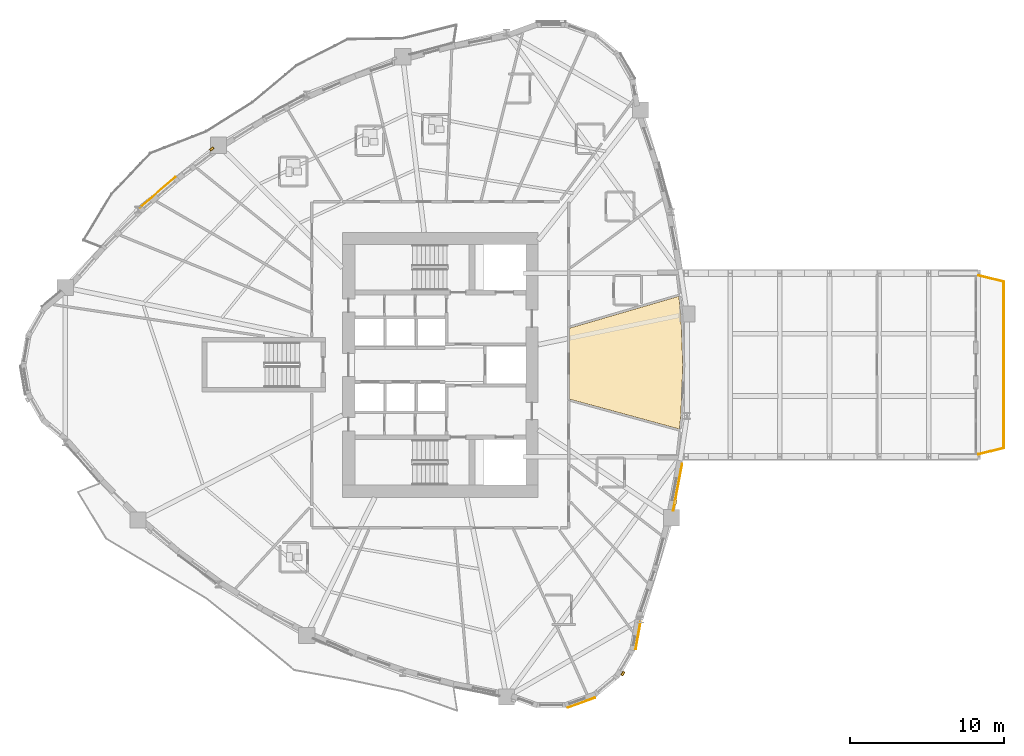
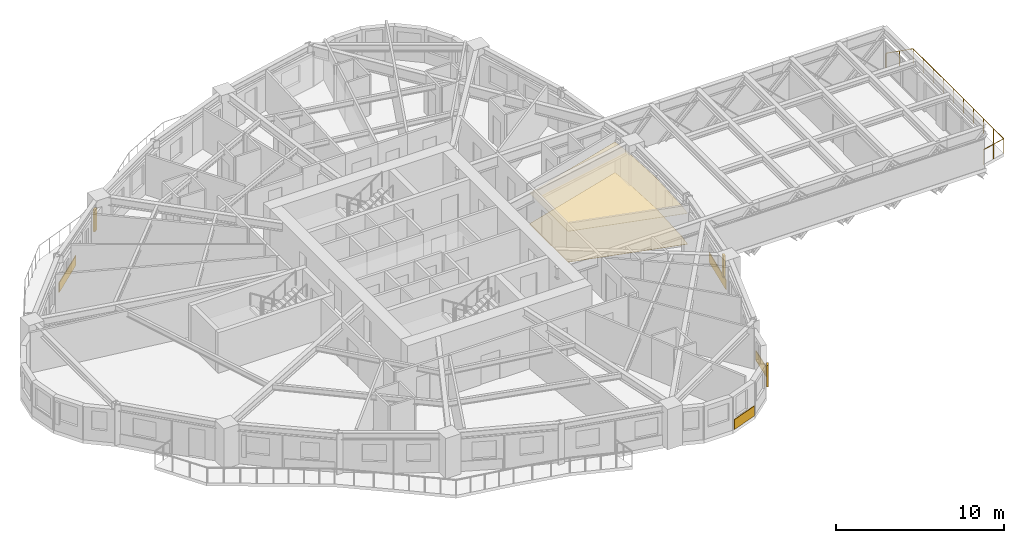
# One storey, part 14 of 16: 6 coverings, 3 shading devices, 1 railing.
"""IFC4 building model written with IfcOpenShell, lengths in metres."""

from ifc_helpers import new_model, si_unit, direction, frame, origin, origin_2d, place, context, subcontext, project, spatial, polyline, rectangle, circle, outline, extrude, source, transform, mapped, material, layer, layer_set, type_object, element, save


model = new_model("IFC4")

# Units and contexts
model_context = context("Model", 3, precision=1e-05, world=origin(), true_north=direction((0.0, 1.0)))
body_context = subcontext(model_context, "Body", "Model", "MODEL_VIEW")
ifc_project = project(units=[si_unit("LENGTHUNIT", "METRE"), si_unit("AREAUNIT", "SQUARE_METRE"), si_unit("VOLUMEUNIT", "CUBIC_METRE"), si_unit("PLANEANGLEUNIT", "RADIAN"), si_unit("MASSUNIT", "GRAM", prefix="KILO")], contexts=[model_context])

# Site, building, storey
site_placement = place(None, origin())
site = spatial("IfcSite", under=ifc_project, at=site_placement, CompositionType="ELEMENT")
building_placement = place(site_placement, origin())
building = spatial("IfcBuilding", under=site, at=building_placement, Name="Qafzar Sky-Pleat Residences", CompositionType="ELEMENT")
storey_placement = place(building_placement, frame((0.0, 0.0, 33.39990234375)))
storey = spatial("IfcBuildingStorey", under=building, at=storey_placement, Name="L09", CompositionType="ELEMENT", Elevation=33.39990234375)

# Coverings
ifc_material_1 = material(Name="Perforated acoustic gypsum board ceiling")
ifc_layer_1 = layer(ifc_material_1, 0.02001953125)
ifc_layer_set_1 = layer_set([ifc_layer_1], Name="Perforated acoustic gypsum board ceiling")
covering_type_1 = type_object("IfcCoveringType", Name="COV-CEIL-ACOUSTIC", PredefinedType="CEILING", material=ifc_layer_set_1)
covering_1_placement = place(storey_placement, frame((0.0, 0.0, 2.239990234375)))
element("IfcCovering", 1, at=covering_1_placement, inside=storey, type_object=covering_type_1, Name="L09 Co-Living Lounge Acoustic Ceiling", PredefinedType="CEILING", context=body_context, shape_type="SweptSolid", body=[
    extrude(outline(polyline([(45.961181640625, 29.276123046875), (46.0859375, 26.0), (45.961181640625, 22.723876953125), (45.860107421875, 21.835205078125), (38.739990234375, 23.775634765625), (38.739990234375, 28.38427734375), (45.827392578125, 30.451416015625), (45.961181640625, 29.276123046875)])), origin(), (0.0, 0.0, 1.0), 0.02001953125),
])
ifc_material_2 = material(Name="Honed porcelain and Riyadh stone tile flooring", Category="masonry")
ifc_layer_2 = layer(ifc_material_2, 0.02001953125)
ifc_layer_set_2 = layer_set([ifc_layer_2], Name="Honed porcelain and Riyadh stone tile flooring")
covering_type_2 = type_object("IfcCoveringType", Name="COV-FLR-PORCELAIN", PredefinedType="FLOORING", material=ifc_layer_set_2)
covering_2_placement = place(storey_placement, origin())
element("IfcCovering", 2, at=covering_2_placement, inside=storey, type_object=covering_type_2, Name="L09 Co-Living Lounge Honed Stone Flooring", PredefinedType="FLOORING", context=body_context, shape_type="SweptSolid", body=[
    extrude(outline(polyline([(45.961181640625, 29.276123046875), (46.0859375, 26.0), (45.961181640625, 22.723876953125), (45.860107421875, 21.835205078125), (38.739990234375, 23.775634765625), (38.739990234375, 28.38427734375), (45.827392578125, 30.451416015625), (45.961181640625, 29.276123046875)])), origin(), (0.0, 0.0, 1.0), 0.02001953125),
])

# Shading devices
ifc_material_3 = material(Name="Honed Riyadh limestone solar fin", Category="masonry")
ifc_layer_3 = layer(ifc_material_3, 0.139892578125)
ifc_layer_set_3 = layer_set([ifc_layer_3], Name="Honed Riyadh limestone solar fin")
shading_device_type = type_object("IfcShadingDeviceType", Name="SHD-FIN-STONE", PredefinedType="SHUTTER", material=ifc_layer_set_3)
shared_shape_1 = source(origin(), body_context, "Body", "SweptSolid", [
    extrude(rectangle(XDim=0.139892578125, YDim=0.280029296875, at=origin_2d()), origin(), (0.0, 0.0, 1.0), 1.60009765625),
])
for number, where, z_axis, x_axis, name in (
    (3, (42.1953125, 5.968505859375, 0.60009765625), (0.0, 0.0, 1.0), (0.86604422228, -0.499967403994, 0.0), "L09 Limestone Solar Fin 21"),
    (4, (45.61474609375, 17.097900390625, 0.60009765625), (0.0, 0.0, 1.0), (0.982420909967, -0.186679285565, 0.0), "L09 Limestone Solar Fin 25"),
    (5, (15.524658203125, 40.009033203125, 0.60009765625), (0.0, 0.0, 1.0), (-0.594881837861, 0.803813161738, 0.0), "L09 Limestone Solar Fin 45"),
):
    element("IfcShadingDevice", number, at=place(storey_placement, frame(where, z_axis=z_axis, x_axis=x_axis)), inside=storey, type_object=shading_device_type, Name=name, PredefinedType="SHUTTER", context=body_context, shape_type="MappedRepresentation", body=[
        mapped(shared_shape_1, transform((0.0, 0.0, 0.0), x_axis=(1.0, 0.0, 0.0), y_axis=(0.0, 1.0, 0.0), z_axis=(0.0, 0.0, 1.0), scale=1.0)),
    ])

# Coverings
ifc_material_4 = material(Name="Honed Riyadh Tuwaiq limestone cladding", Category="masonry")
ifc_layer_4 = layer(ifc_material_4, 0.044921875)
ifc_layer_set_4 = layer_set([ifc_layer_4], Name="Honed Riyadh Tuwaiq limestone cladding")
covering_type_3 = type_object("IfcCoveringType", Name="COV-CLAD-STONE", PredefinedType="CLADDING", material=ifc_layer_set_4)
shared_shape_2 = source(origin(), body_context, "Body", "SweptSolid", [
    extrude(rectangle(XDim=1.8291015625, YDim=0.044921875, at=origin_2d()), origin(), (0.0, 0.0, 1.0), 0.719970703125),
])
covering_3_placement = place(storey_placement, frame((43.186767578125, 8.443359375, 0.02001953125), z_axis=(0.0, 0.0, 1.0), x_axis=(0.17364778674, 0.984807821943, 0.0)))
element("IfcCovering", 6, at=covering_3_placement, inside=storey, type_object=covering_type_3, Name="L09 Riyadh Limestone Spandrel Cladding 22", PredefinedType="CLADDING", context=body_context, shape_type="MappedRepresentation", body=[
    mapped(shared_shape_2, transform((0.0, 0.0, 0.0), x_axis=(1.0, 0.0, 0.0), y_axis=(0.0, 1.0, 0.0), z_axis=(0.0, 0.0, 1.0), scale=1.0)),
])
shared_shape_3 = source(origin(), body_context, "Body", "SweptSolid", [
    extrude(rectangle(XDim=1.881103515625, YDim=0.044921875, at=origin_2d()), origin(), (0.0, 0.0, 1.0), 0.719970703125),
])
covering_4_placement = place(storey_placement, frame((39.506103515625, 4.07958984375, 0.02001953125), z_axis=(0.0, 0.0, 1.0), x_axis=(0.939715179222, 0.34195815817, 0.0)))
element("IfcCovering", 7, at=covering_4_placement, inside=storey, type_object=covering_type_3, Name="L09 Riyadh Limestone Spandrel Cladding 19", PredefinedType="CLADDING", context=body_context, shape_type="MappedRepresentation", body=[
    mapped(shared_shape_3, transform((0.0, 0.0, 0.0), x_axis=(1.0, 0.0, 0.0), y_axis=(0.0, 1.0, 0.0), z_axis=(0.0, 0.0, 1.0), scale=1.0)),
])
shared_shape_4 = source(origin(), body_context, "Body", "SweptSolid", [
    extrude(rectangle(XDim=3.10107421875, YDim=0.044921875, at=origin_2d()), origin(), (0.0, 0.0, 1.0), 0.719970703125),
])
covering_5_placement = place(storey_placement, frame((45.75439453125, 18.063720703125, 0.02001953125), z_axis=(0.0, 0.0, 1.0), x_axis=(0.186669329161, 0.982422801828, 0.0)))
element("IfcCovering", 8, at=covering_5_placement, inside=storey, type_object=covering_type_3, Name="L09 Riyadh Limestone Spandrel Cladding 25", PredefinedType="CLADDING", context=body_context, shape_type="MappedRepresentation", body=[
    mapped(shared_shape_4, transform((0.0, 0.0, 0.0), x_axis=(1.0, 0.0, 0.0), y_axis=(0.0, 1.0, 0.0), z_axis=(0.0, 0.0, 1.0), scale=1.0)),
])
shared_shape_5 = source(origin(), body_context, "Body", "SweptSolid", [
    extrude(rectangle(XDim=3.04541015625, YDim=0.044921875, at=origin_2d()), origin(), (0.0, 0.0, 1.0), 0.719970703125),
])
covering_6_placement = place(storey_placement, frame((12.01416015625, 37.20458984375, 0.02001953125), z_axis=(0.0, 0.0, 1.0), x_axis=(-0.757465901531, -0.652874726129, 0.0)))
element("IfcCovering", 9, at=covering_6_placement, inside=storey, type_object=covering_type_3, Name="L09 Riyadh Limestone Spandrel Cladding 46", PredefinedType="CLADDING", context=body_context, shape_type="MappedRepresentation", body=[
    mapped(shared_shape_5, transform((0.0, 0.0, 0.0), x_axis=(1.0, 0.0, 0.0), y_axis=(0.0, 1.0, 0.0), z_axis=(0.0, 0.0, 1.0), scale=1.0)),
])

# Railing
ifc_material_5 = material(Name="Laminated glass and bronze steel balustrade", Category="steel")
railing_type = type_object("IfcRailingType", Name="RAIL-BAL-1100", PredefinedType="BALUSTRADE", material=ifc_material_5)
shared_shape_6 = source(origin(), body_context, "Body", "SweptSolid", [
    extrude(circle(Radius=0.02392578125, at=origin_2d()), frame((0.0, 0.0, 1.076171875), z_axis=(0.971333546133, 0.237720723027, 0.0), x_axis=(-0.237720723027, 0.971333546133, 0.0)), (0.0, 0.0, 1.0), 1.683349609375),
    extrude(circle(Radius=0.02392578125, at=origin_2d()), frame((1.635009765625, 0.400146484375, 1.076171875), z_axis=(0.0, 1.0, 0.0), x_axis=(-1.0, 0.0, 0.0)), (0.0, 0.0, 1.0), 10.7998046875),
    extrude(circle(Radius=0.02392578125, at=origin_2d()), frame((1.635009765625, 11.199951171875, 1.076171875), z_axis=(-0.971333546133, 0.237720723027, 0.0), x_axis=(-0.237720723027, -0.971333546133, 0.0)), (0.0, 0.0, 1.0), 1.683349609375),
    extrude(circle(Radius=0.02099609375, at=origin_2d()), origin(), (0.0, 0.0, 1.0), 1.052001953125),
    extrude(circle(Radius=0.02099609375, at=origin_2d()), frame((0.8173828125, 0.2001953125, 0.0)), (0.0, 0.0, 1.0), 1.052001953125),
    extrude(circle(Radius=0.02099609375, at=origin_2d()), frame((1.635009765625, 0.400146484375, 0.0)), (0.0, 0.0, 1.0), 1.052001953125),
    extrude(circle(Radius=0.02099609375, at=origin_2d()), frame((1.635009765625, 1.60009765625, 0.0)), (0.0, 0.0, 1.0), 1.052001953125),
    extrude(circle(Radius=0.02099609375, at=origin_2d()), frame((1.635009765625, 2.800048828125, 0.0)), (0.0, 0.0, 1.0), 1.052001953125),
    extrude(circle(Radius=0.02099609375, at=origin_2d()), frame((1.635009765625, 4.0, 0.0)), (0.0, 0.0, 1.0), 1.052001953125),
    extrude(circle(Radius=0.02099609375, at=origin_2d()), frame((1.635009765625, 5.199951171875, 0.0)), (0.0, 0.0, 1.0), 1.052001953125),
    extrude(circle(Radius=0.02099609375, at=origin_2d()), frame((1.635009765625, 6.400146484375, 0.0)), (0.0, 0.0, 1.0), 1.052001953125),
    extrude(circle(Radius=0.02099609375, at=origin_2d()), frame((1.635009765625, 7.60009765625, 0.0)), (0.0, 0.0, 1.0), 1.052001953125),
    extrude(circle(Radius=0.02099609375, at=origin_2d()), frame((1.635009765625, 8.800048828125, 0.0)), (0.0, 0.0, 1.0), 1.052001953125),
    extrude(circle(Radius=0.02099609375, at=origin_2d()), frame((1.635009765625, 10.0, 0.0)), (0.0, 0.0, 1.0), 1.052001953125),
    extrude(circle(Radius=0.02099609375, at=origin_2d()), frame((1.635009765625, 11.199951171875, 0.0)), (0.0, 0.0, 1.0), 1.052001953125),
    extrude(circle(Radius=0.02099609375, at=origin_2d()), frame((0.8173828125, 11.39990234375, 0.0)), (0.0, 0.0, 1.0), 1.052001953125),
    extrude(circle(Radius=0.02099609375, at=origin_2d()), frame((0.0, 11.60009765625, 0.0)), (0.0, 0.0, 1.0), 1.052001953125),
])
railing_placement = place(storey_placement, frame((65.26953125, 20.199951171875, 0.0)))
element("IfcRailing", 10, at=railing_placement, inside=storey, type_object=railing_type, Name="L09 SB-1 Tip Observation Balcony Balustrade", PredefinedType="BALUSTRADE", context=body_context, shape_type="MappedRepresentation", body=[
    mapped(shared_shape_6, transform((0.0, 0.0, 0.0), x_axis=(1.0, 0.0, 0.0), y_axis=(0.0, 1.0, 0.0), z_axis=(0.0, 0.0, 1.0), scale=1.0)),
])

save(model, "model.ifc")
